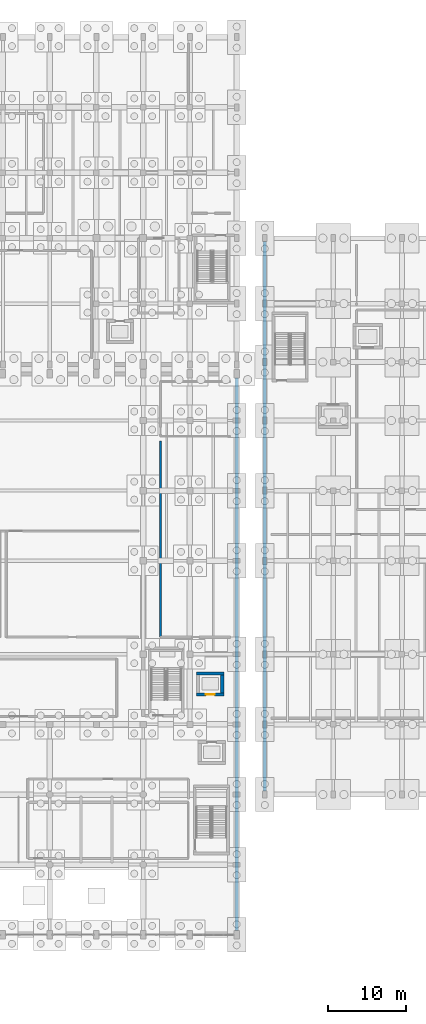
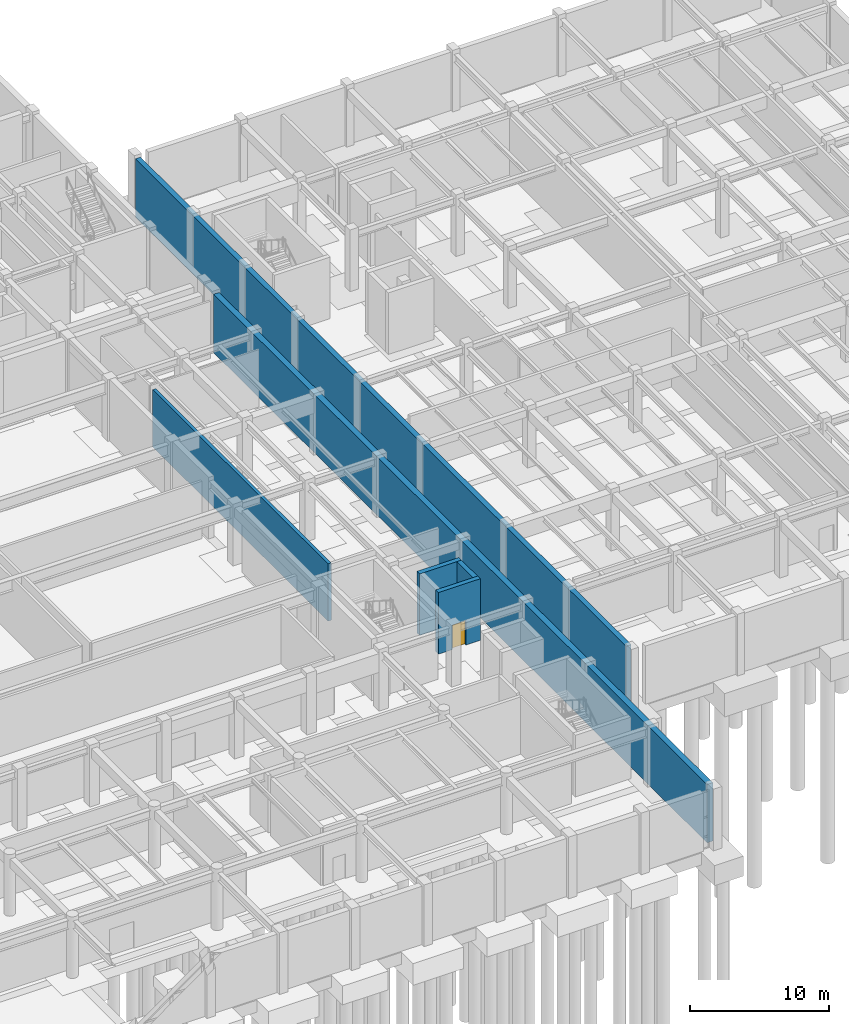
# One storey, part 50 of 69: 6 walls, 1 door, 1 opening.
"""IFC4 building model written with IfcOpenShell, lengths in metres."""

from ifc_helpers import new_model, si_unit, direction, frame, frame_2d, origin, place, context, subcontext, project, spatial, rectangle, extrude, material, layer, layer_set, type_object, element, fill, save


model = new_model("IFC4")

# Units and contexts
model_context = context("Model", 3, precision=1e-05, world=origin(), true_north=direction((0.0, 1.0)))
body_context = subcontext(model_context, "Body", "Model", "MODEL_VIEW")
ifc_project = project(units=[si_unit("LENGTHUNIT", "METRE"), si_unit("AREAUNIT", "SQUARE_METRE"), si_unit("VOLUMEUNIT", "CUBIC_METRE"), si_unit("PLANEANGLEUNIT", "RADIAN"), si_unit("MASSUNIT", "GRAM", prefix="KILO")], contexts=[model_context])

# Site, building, storey
site_placement = place(None, origin())
site = spatial("IfcSite", under=ifc_project, at=site_placement, CompositionType="ELEMENT")
building_placement = place(site_placement, origin())
building = spatial("IfcBuilding", under=site, at=building_placement, Name="Vaelkrest Opera House", CompositionType="ELEMENT")
storey_placement = place(building_placement, frame((0.0, 0.0, -5.39990234375)))
storey = spatial("IfcBuildingStorey", under=building, at=storey_placement, Name="B1", CompositionType="ELEMENT", Elevation=-5.39990234375)

# Walls
ifc_material_1 = material(Name="Concrete C40/50", Category="concrete")
ifc_layer_1 = layer(ifc_material_1, 0.260009765625)
ifc_layer_set_1 = layer_set([ifc_layer_1], Name="Concrete C40/50")
wall_type_1 = type_object("IfcWallType", Name="PT10", PredefinedType="PARTITIONING", material=ifc_layer_set_1)
wall_1_placement = place(storey_placement, frame((20.199951171875, -17.60009765625, 0.0), z_axis=(0.0, 0.0, 1.0), x_axis=(0.0, 1.0, 0.0)))
element("IfcWall", 1, at=wall_1_placement, inside=storey, type_object=wall_type_1, Name="Interior partition PT-V1-B1-0024", PredefinedType="PARTITIONING", context=body_context, shape_type="SweptSolid", body=[
    extrude(rectangle(XDim=25.2001953125, YDim=0.260009765625, at=frame_2d((12.60009765625, 0.0))), origin(), (0.0, 0.0, 1.0), 5.02001953125),
])
ifc_layer_2 = layer(ifc_material_1, 0.419921875)
ifc_layer_set_2 = layer_set([ifc_layer_2], Name="Concrete C40/50")
wall_type_2 = type_object("IfcWallType", Name="RW01", PredefinedType="USERDEFINED", material=ifc_layer_set_2)
wall_2_placement = place(storey_placement, frame((33.60009765625, -37.35009765625, 0.0), z_axis=(0.0, 0.0, 1.0), x_axis=(0.0, 1.0, 0.0)))
element("IfcWall", 2, at=wall_2_placement, inside=storey, type_object=wall_type_2, Name="Retaining wall RW-V4-W", ObjectType="RETAINING WALL", PredefinedType="USERDEFINED", context=body_context, shape_type="SweptSolid", body=[
    extrude(rectangle(XDim=70.5, YDim=0.419921875, at=frame_2d((35.25, 0.0))), origin(), (0.0, 0.0, 1.0), 5.10986328125),
])
ifc_layer_3 = layer(ifc_material_1, 0.47998046875)
ifc_layer_set_3 = layer_set([ifc_layer_3], Name="Concrete C40/50")
wall_type_3 = type_object("IfcWallType", Name="RW02", PredefinedType="USERDEFINED", material=ifc_layer_set_3)
wall_3_placement = place(storey_placement, frame((30.0, -55.25, 0.0), z_axis=(0.0, 0.0, 1.0), x_axis=(0.0, 1.0, 0.0)))
element("IfcWall", 3, at=wall_3_placement, inside=storey, type_object=wall_type_3, Name="Retaining wall RW-V1-E", ObjectType="RETAINING WALL", PredefinedType="USERDEFINED", context=body_context, shape_type="SweptSolid", body=[
    extrude(rectangle(XDim=70.89990234375, YDim=0.47998046875, at=frame_2d((35.449951171875, 0.0))), origin(), (0.0, 0.0, 1.0), 5.10986328125),
])

# Wall, opening, door
ifc_material_2 = material(Name="Concrete C50/60", Category="concrete")
ifc_layer_4 = layer(ifc_material_2, 0.389892578125)
ifc_layer_set_4 = layer_set([ifc_layer_4], Name="Concrete C50/60")
wall_type_4 = type_object("IfcWallType", Name="SW02", PredefinedType="SHEAR", material=ifc_layer_set_4)
wall_4_placement = place(storey_placement, frame((28.340087890625, -24.945068359375, 0.0), z_axis=(0.0, 0.0, 1.0), x_axis=(-1.0, 0.0, 0.0)))
wall_4 = element("IfcWall", 4, at=wall_4_placement, inside=storey, type_object=wall_type_4, Name="Lift shaft LP02 wall B1 S", PredefinedType="SHEAR", context=body_context, shape_type="SweptSolid", body=[
    extrude(rectangle(XDim=3.47998046875, YDim=0.389892578125, at=frame_2d((1.739990234375, 0.0))), origin(), (0.0, 0.0, 1.0), 5.39990234375),
])
opening_placement = place(wall_4_placement, frame((1.18994140625, 0.0, 0.0)))
opening = element("IfcOpeningElement", 5, at=opening_placement, cuts=wall_4, Name="Opening LD-LP02-B1", PredefinedType="OPENING", context=body_context, shape_type="SweptSolid", body=[
    extrude(rectangle(XDim=1.10009765625, YDim=2.14990234375, at=frame_2d((0.550048828125, 1.074951171875))), frame((0.0, 0.204833984375, 0.0), z_axis=(0.0, -1.0, 0.0), x_axis=(1.0, 0.0, 0.0)), (0.0, 0.0, 1.0), 0.409912109375),
])
ifc_material_3 = material(Name="Dark bronze anodized aluminium", Category="aluminium")
door_type = type_object("IfcDoorType", Name="LDT01", OperationType="SLIDING_TO_LEFT", PredefinedType="DOOR", material=ifc_material_3)
door_placement = place(opening_placement, origin())
door = element("IfcDoor", 6, at=door_placement, inside=storey, type_object=door_type, Name="Lift landing sliding door LD-LP02-B1", OperationType="SLIDING_TO_LEFT", OverallHeight=2.14990234375, OverallWidth=1.10009765625, PredefinedType="DOOR", context=body_context, shape_type="SweptSolid", body=[
    extrude(rectangle(XDim=1.10009765625, YDim=2.14990234375, at=frame_2d((0.550048828125, 1.074951171875))), frame((0.0, 0.02490234375, 0.0), z_axis=(0.0, -1.0, 0.0), x_axis=(1.0, 0.0, 0.0)), (0.0, 0.0, 1.0), 0.050048828125),
])
fill(opening, door)

# Walls
wall_5_placement = place(storey_placement, frame((24.860107421875, -22.2548828125, 0.0), z_axis=(0.0, 0.0, 1.0), x_axis=(1.0, 0.0, 0.0)))
element("IfcWall", 7, at=wall_5_placement, inside=storey, type_object=wall_type_4, Name="Lift shaft LP02 wall B1 N", PredefinedType="SHEAR", context=body_context, shape_type="SweptSolid", body=[
    extrude(rectangle(XDim=3.47998046875, YDim=0.389892578125, at=frame_2d((1.739990234375, 0.0))), origin(), (0.0, 0.0, 1.0), 5.39990234375),
])
wall_6_placement = place(storey_placement, frame((28.14501953125, -22.449951171875, 0.0), z_axis=(0.0, 0.0, 1.0), x_axis=(0.0, -1.0, 0.0)))
element("IfcWall", 8, at=wall_6_placement, inside=storey, type_object=wall_type_4, Name="Lift shaft LP02 wall B1 E", PredefinedType="SHEAR", context=body_context, shape_type="SweptSolid", body=[
    extrude(rectangle(XDim=2.300048828125, YDim=0.389892578125, at=frame_2d((1.14990234375, 0.0))), origin(), (0.0, 0.0, 1.0), 5.39990234375),
])

save(model, "model.ifc")
